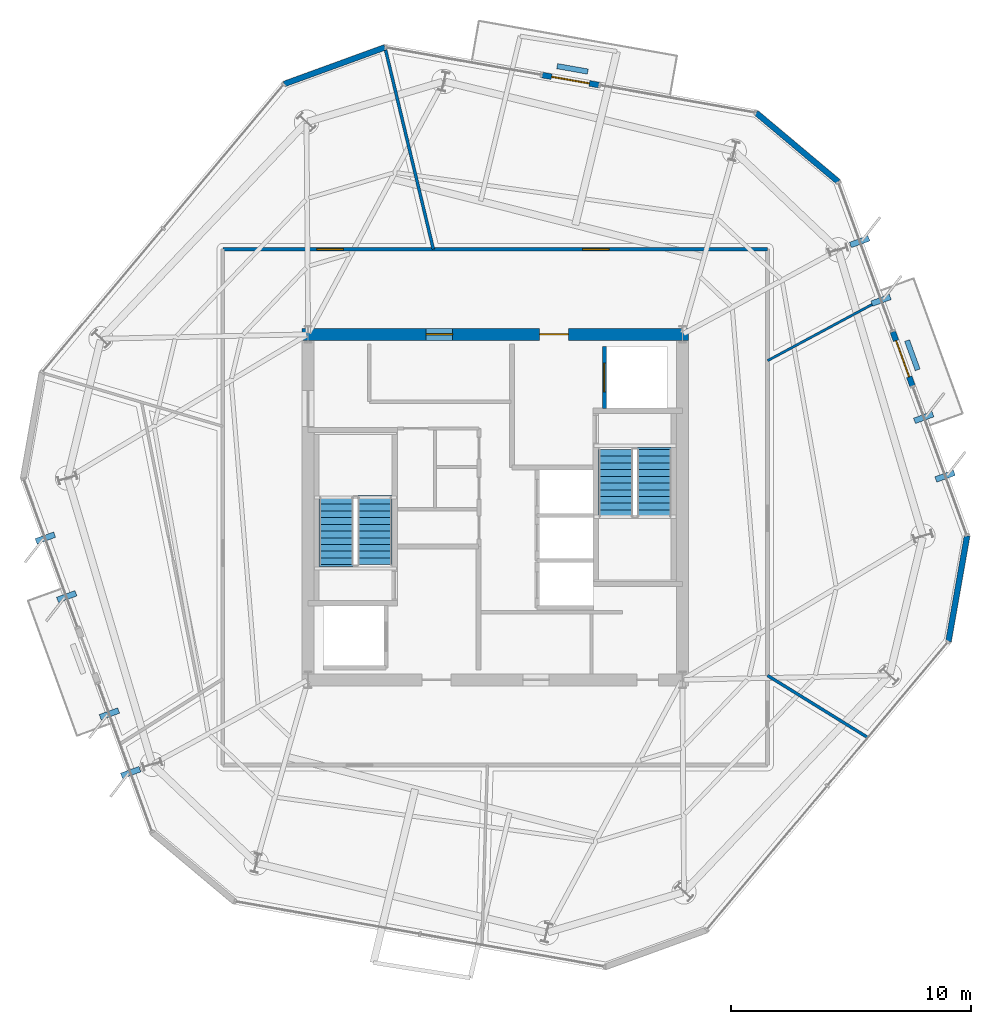
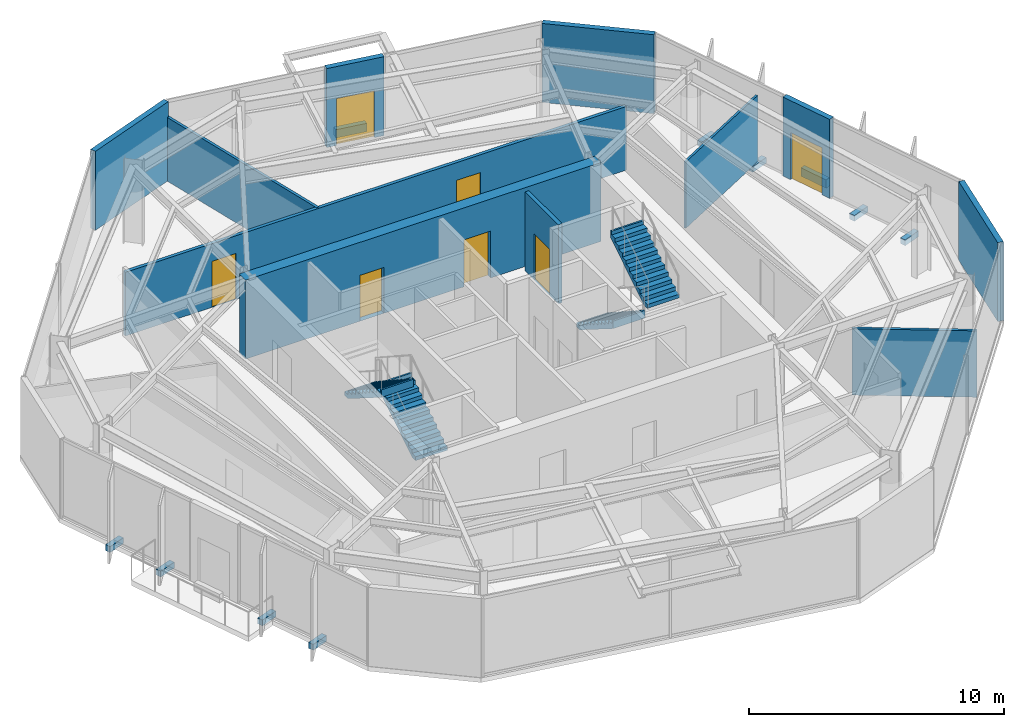
# One storey, part 8 of 11: 13 walls, 8 discrete accessories, 7 doors, 4 stair flights, 7 openings, 2 elements without a shape of their own.
"""IFC4 building model written with IfcOpenShell, lengths in metres."""

from ifc_helpers import new_model, si_unit, direction, frame, frame_2d, origin, origin_2d, place, context, subcontext, project, spatial, polyline, rectangle, outline, extrude, material, layer, layer_set, type_object, element, fill, aggregate, save


model = new_model("IFC4")

# Units and contexts
model_context = context("Model", 3, precision=1e-05, world=origin(), true_north=direction((0.0, 1.0)))
body_context = subcontext(model_context, "Body", "Model", "MODEL_VIEW")
ifc_project = project(units=[si_unit("LENGTHUNIT", "METRE"), si_unit("AREAUNIT", "SQUARE_METRE"), si_unit("VOLUMEUNIT", "CUBIC_METRE"), si_unit("PLANEANGLEUNIT", "RADIAN"), si_unit("MASSUNIT", "GRAM", prefix="KILO")], contexts=[model_context])

# Site, building, storey
site_placement = place(None, origin())
site = spatial("IfcSite", under=ifc_project, at=site_placement, CompositionType="ELEMENT")
building_placement = place(site_placement, origin())
building = spatial("IfcBuilding", under=site, at=building_placement, Name="Kranzbogen Civic Tower", CompositionType="ELEMENT")
storey_placement = place(building_placement, frame((0.0, 0.0, 224.800048828125)))
storey = spatial("IfcBuildingStorey", under=building, at=storey_placement, Name="L54", CompositionType="ELEMENT", Elevation=224.800048828125)

# Wall, openings, doors
ifc_material_1 = material(Name="Double-Stud Acoustic Gypsum Partition")
ifc_layer_1 = layer(ifc_material_1, 0.14990234375, Name="Double-Stud Acoustic Gypsum Partition")
ifc_layer_set_1 = layer_set([ifc_layer_1], Name="Double-Stud Acoustic Gypsum Partition")
wall_type_1 = type_object("IfcWallType", Name="Acoustic Corridor and Clinical Partition 150 mm", PredefinedType="PARTITIONING", material=ifc_layer_set_1)
wall_1_placement = place(storey_placement, frame((13.64990234375, 35.75, 0.0), z_axis=(0.0, 0.0, 1.0), x_axis=(1.0, 0.0, 0.0)))
wall_1 = element("IfcWall", 1, at=wall_1_placement, inside=storey, type_object=wall_type_1, Name="L54 corridor partition 01", PredefinedType="PARTITIONING", context=body_context, shape_type="SweptSolid", body=[
    extrude(rectangle(XDim=22.7001953125, YDim=0.14990234375, at=frame_2d((11.35009765625, 0.0))), origin(), (0.0, 0.0, 1.0), 3.050048828125),
])
opening_1_placement = place(wall_1_placement, frame((14.9951171875, 0.0, 0.0)))
opening_1 = element("IfcOpeningElement", 2, at=opening_1_placement, cuts=wall_1, Name="Opening D-COR60", PredefinedType="OPENING", context=body_context, shape_type="SweptSolid", body=[
    extrude(rectangle(XDim=1.10009765625, YDim=2.199951171875, at=frame_2d((0.550048828125, 1.10009765625))), frame((0.0, 0.0849609375, 0.0), z_axis=(0.0, -1.0, 0.0), x_axis=(1.0, 0.0, 0.0)), (0.0, 0.0, 1.0), 0.169921875),
])
opening_2_placement = place(wall_1_placement, frame((3.9208984375, 0.0, 0.0)))
opening_2 = element("IfcOpeningElement", 3, at=opening_2_placement, cuts=wall_1, Name="Opening D-COR60", PredefinedType="OPENING", context=body_context, shape_type="SweptSolid", body=[
    extrude(rectangle(XDim=1.10009765625, YDim=2.199951171875, at=frame_2d((0.550048828125, 1.10009765625))), frame((0.0, 0.0849609375, 0.0), z_axis=(0.0, -1.0, 0.0), x_axis=(1.0, 0.0, 0.0)), (0.0, 0.0, 1.0), 0.169921875),
])
ifc_material_2 = material(Name="Oak Timber and Fire Core", Category="wood")
door_type_1 = type_object("IfcDoorType", Name="Corridor Acoustic Fire Door 1100x2200", OperationType="NOTDEFINED", PredefinedType="DOOR", material=ifc_material_2)
door_1_placement = place(opening_1_placement, origin())
door_1 = element("IfcDoor", 4, at=door_1_placement, inside=storey, type_object=door_type_1, Name="L54 Protocol Entrance Reception door", OperationType="SINGLE_SWING_LEFT", OverallHeight=2.199951171875, OverallWidth=1.10009765625, PredefinedType="DOOR", context=body_context, shape_type="SweptSolid", body=[
    extrude(rectangle(XDim=1.10009765625, YDim=2.199951171875, at=frame_2d((0.550048828125, 1.10009765625))), frame((0.0, 0.02490234375, 0.0), z_axis=(0.0, -1.0, 0.0), x_axis=(1.0, 0.0, 0.0)), (0.0, 0.0, 1.0), 0.050048828125),
])
fill(opening_1, door_1)
door_2_placement = place(opening_2_placement, origin())
door_2 = element("IfcDoor", 5, at=door_2_placement, inside=storey, type_object=door_type_1, Name="L54 Civic Reference Library door", OperationType="SINGLE_SWING_RIGHT", OverallHeight=2.199951171875, OverallWidth=1.10009765625, PredefinedType="DOOR", context=body_context, shape_type="SweptSolid", body=[
    extrude(rectangle(XDim=1.10009765625, YDim=2.199951171875, at=frame_2d((0.550048828125, 1.10009765625))), frame((0.0, 0.02490234375, 0.0), z_axis=(0.0, -1.0, 0.0), x_axis=(1.0, 0.0, 0.0)), (0.0, 0.0, 1.0), 0.050048828125),
])
fill(opening_2, door_2)

# Walls
ifc_material_3 = material(Name="Insulated Metal-Stud Gypsum Partition")
ifc_layer_2 = layer(ifc_material_3, 0.125, Name="Insulated Metal-Stud Gypsum Partition")
ifc_layer_set_2 = layer_set([ifc_layer_2], Name="Insulated Metal-Stud Gypsum Partition")
wall_type_2 = type_object("IfcWallType", Name="Acoustic Inter-Room Partition 125 mm", PredefinedType="PARTITIONING", material=ifc_layer_set_2)
wall_2_placement = place(storey_placement, frame((22.4208984375, 35.75, 0.0), z_axis=(0.0, 0.0, 1.0), x_axis=(-0.233219964305, 0.972424006414, 0.0)))
element("IfcWall", 6, at=wall_2_placement, inside=storey, type_object=wall_type_2, Name="L54 radial room partition 01", PredefinedType="PARTITIONING", context=body_context, shape_type="SweptSolid", body=[
    extrude(rectangle(XDim=8.631103515625, YDim=0.125, at=frame_2d((4.3154296875, 0.0))), origin(), (0.0, 0.0, 1.0), 3.050048828125),
])
wall_3_placement = place(storey_placement, frame((36.35009765625, 17.97900390625, 0.0), z_axis=(0.0, 0.0, 1.0), x_axis=(0.850384110208, -0.526162394234, 0.0)))
element("IfcWall", 7, at=wall_3_placement, inside=storey, type_object=wall_type_2, Name="L54 radial room partition 05", PredefinedType="PARTITIONING", context=body_context, shape_type="SweptSolid", body=[
    extrude(rectangle(XDim=4.8974609375, YDim=0.125, at=frame_2d((2.44873046875, 0.0))), origin(), (0.0, 0.0, 1.0), 3.179931640625),
])
ifc_material_4 = material(Name="Architectural Precast Terracotta Concrete C40/50", Category="masonry")
ifc_layer_3 = layer(ifc_material_4, 0.219970703125, Name="Architectural Precast Terracotta Concrete C40/50")
ifc_layer_set_3 = layer_set([ifc_layer_3], Name="Architectural Precast Terracotta Concrete C40/50")
wall_type_3 = type_object("IfcWallType", Name="Architectural Tree Planter Kerb Wall 220 mm", PredefinedType="USERDEFINED", material=ifc_layer_set_3)
wall_4_placement = place(storey_placement, frame((42.610107421875, 30.718017578125, 0.0), z_axis=(0.0, 0.0, 1.0), x_axis=(-0.341577205661, 0.93985371871, 0.0)))
element("IfcWall", 8, at=wall_4_placement, inside=storey, type_object=wall_type_3, Name="L54 landscaped tree balcony planter L54-TB2", ObjectType="PLANTER_WALL", PredefinedType="USERDEFINED", context=body_context, shape_type="SweptSolid", body=[
    extrude(rectangle(XDim=1.300048828125, YDim=0.219970703125, at=frame_2d((0.64990234375, 0.0))), origin(), (0.0, 0.0, 1.0), 0.39990234375),
])
wall_5_placement = place(storey_placement, frame((28.861083984375, 43.152099609375, 0.0), z_axis=(0.0, 0.0, 1.0), x_axis=(-0.984791121497, 0.173742473276, 0.0)))
element("IfcWall", 9, at=wall_5_placement, inside=storey, type_object=wall_type_3, Name="L54 landscaped tree balcony planter L54-ST", ObjectType="PLANTER_WALL", PredefinedType="USERDEFINED", context=body_context, shape_type="SweptSolid", body=[
    extrude(rectangle(XDim=1.2998046875, YDim=0.219970703125, at=frame_2d((0.64990234375, 0.0))), origin(), (0.0, 0.0, 1.0), 0.39990234375),
])

# Wall, openings, doors
ifc_material_5 = material(Name="Concrete C45/55", Category="concrete")
ifc_layer_4 = layer(ifc_material_5, 0.5, Name="Concrete C45/55")
ifc_layer_set_4 = layer_set([ifc_layer_4], Name="Concrete C45/55")
wall_type_4 = type_object("IfcWallType", Name="Central Core Shear Wall 500 mm", PredefinedType="SHEAR", material=ifc_layer_set_4)
wall_6_placement = place(storey_placement, frame((33.050048828125, 32.199951171875, 0.0), z_axis=(0.0, 0.0, 1.0), x_axis=(-1.0, 0.0, 0.0)))
wall_6 = element("IfcWall", 10, at=wall_6_placement, inside=storey, type_object=wall_type_4, Name="L54 central core North shear wall", PredefinedType="SHEAR", context=body_context, shape_type="SweptSolid", body=[
    extrude(rectangle(XDim=16.10009765625, YDim=0.5, at=frame_2d((8.050048828125, 0.0))), origin(), (0.0, 0.0, 1.0), 3.780029296875),
])
opening_3_placement = place(wall_6_placement, frame((5.0, 0.0, 0.0)))
opening_3 = element("IfcOpeningElement", 11, at=opening_3_placement, cuts=wall_6, Name="Opening D-EX120", PredefinedType="OPENING", context=body_context, shape_type="SweptSolid", body=[
    extrude(rectangle(XDim=1.199951171875, YDim=2.25, at=frame_2d((0.60009765625, 1.125))), frame((0.0, 0.260009765625, 0.0), z_axis=(0.0, -1.0, 0.0), x_axis=(1.0, 0.0, 0.0)), (0.0, 0.0, 1.0), 0.52001953125),
])
opening_4_placement = place(wall_6_placement, frame((9.824951171875, 0.0, 0.0)))
opening_4 = element("IfcOpeningElement", 12, at=opening_4_placement, cuts=wall_6, Name="Opening D-COR60", PredefinedType="OPENING", context=body_context, shape_type="SweptSolid", body=[
    extrude(rectangle(XDim=1.10009765625, YDim=2.199951171875, at=frame_2d((0.550048828125, 1.10009765625))), frame((0.0, 0.260009765625, 0.0), z_axis=(0.0, -1.0, 0.0), x_axis=(1.0, 0.0, 0.0)), (0.0, 0.0, 1.0), 0.52001953125),
])
door_3_placement = place(opening_4_placement, origin())
door_3 = element("IfcDoor", 13, at=door_3_placement, inside=storey, type_object=door_type_1, Name="L54 DAT1 comms room door", OperationType="SINGLE_SWING_LEFT", OverallHeight=2.199951171875, OverallWidth=1.10009765625, PredefinedType="DOOR", context=body_context, shape_type="SweptSolid", body=[
    extrude(rectangle(XDim=1.10009765625, YDim=2.199951171875, at=frame_2d((0.550048828125, 1.10009765625))), frame((0.0, 0.02490234375, 0.0), z_axis=(0.0, -1.0, 0.0), x_axis=(1.0, 0.0, 0.0)), (0.0, 0.0, 1.0), 0.050048828125),
])
fill(opening_4, door_3)
ifc_material_6 = material(Name="Steel S355", Category="steel")
door_type_2 = type_object("IfcDoorType", Name="Exit Passageway Fire Door 1200x2250", OperationType="NOTDEFINED", PredefinedType="DOOR", material=ifc_material_6)
door_4_placement = place(opening_3_placement, origin())
door_4 = element("IfcDoor", 14, at=door_4_placement, inside=storey, type_object=door_type_2, Name="L54 East firefighting lobby corridor door", OperationType="SINGLE_SWING_RIGHT", OverallHeight=2.25, OverallWidth=1.199951171875, PredefinedType="DOOR", context=body_context, shape_type="SweptSolid", body=[
    extrude(rectangle(XDim=1.199951171875, YDim=2.25, at=frame_2d((0.60009765625, 1.125))), frame((0.0, 0.02490234375, 0.0), z_axis=(0.0, -1.0, 0.0), x_axis=(1.0, 0.0, 0.0)), (0.0, 0.0, 1.0), 0.050048828125),
])
fill(opening_3, door_4)

# Wall
ifc_material_7 = material(Name="Demountable Aluminium and Gypsum Partition", Category="aluminium")
ifc_layer_5 = layer(ifc_material_7, 0.10009765625, Name="Demountable Aluminium and Gypsum Partition")
ifc_layer_set_5 = layer_set([ifc_layer_5], Name="Demountable Aluminium and Gypsum Partition")
wall_type_5 = type_object("IfcWallType", Name="Demountable Office Partition 100 mm", PredefinedType="MOVABLE", material=ifc_layer_set_5)
wall_7_placement = place(storey_placement, frame((36.35009765625, 31.10107421875, 0.0), z_axis=(0.0, 0.0, 1.0), x_axis=(0.880833659308, 0.473425880819, 0.0)))
element("IfcWall", 15, at=wall_7_placement, inside=storey, type_object=wall_type_5, Name="L54 radial room partition 06", PredefinedType="MOVABLE", context=body_context, shape_type="SweptSolid", body=[
    extrude(rectangle(XDim=5.358642578125, YDim=0.10009765625, at=frame_2d((2.67919921875, 0.0))), origin(), (0.0, 0.0, 1.0), 3.179931640625),
])

# Wall, opening, door
ifc_material_8 = material(Name="Gypsum Fireboard Shaftliner")
ifc_layer_6 = layer(ifc_material_8, 0.175048828125, Name="Gypsum Fireboard Shaftliner")
ifc_layer_set_6 = layer_set([ifc_layer_6], Name="Gypsum Fireboard Shaftliner")
wall_type_6 = type_object("IfcWallType", Name="Fire-Rated Lift and Service Shaft Wall 175 mm", PredefinedType="PARTITIONING", material=ifc_layer_set_6)
wall_8_placement = place(storey_placement, frame((29.550048828125, 29.10009765625, 0.0), z_axis=(0.0, 0.0, 1.0), x_axis=(0.0, 1.0, 0.0)))
wall_8 = element("IfcWall", 16, at=wall_8_placement, inside=storey, type_object=wall_type_6, Name="L54 lift FF-02 landing wall", PredefinedType="PARTITIONING", context=body_context, shape_type="SweptSolid", body=[
    extrude(rectangle(XDim=2.599853515625, YDim=0.175048828125, at=frame_2d((1.2998046875, 0.0))), origin(), (0.0, 0.0, 1.0), 3.780029296875),
])
opening_5_placement = place(wall_8_placement, frame((0.699951171875, 0.0, 0.0)))
opening_5 = element("IfcOpeningElement", 17, at=opening_5_placement, cuts=wall_8, Name="Opening LD-FF-02", PredefinedType="OPENING", context=body_context, shape_type="SweptSolid", body=[
    extrude(rectangle(XDim=1.199951171875, YDim=2.199951171875, at=frame_2d((0.60009765625, 1.10009765625))), frame((0.0, 0.09765625, 0.0), z_axis=(0.0, -1.0, 0.0), x_axis=(1.0, 0.0, 0.0)), (0.0, 0.0, 1.0), 0.195068359375),
])
ifc_material_9 = material(Name="Pale Anodised Aluminium", Category="aluminium")
door_type_3 = type_object("IfcDoorType", Name="Firefighting and Stretcher Lift Sliding Landing Door 1200x2200", OperationType="DOUBLE_DOOR_SLIDING", PredefinedType="DOOR", material=ifc_material_9)
door_5_placement = place(opening_5_placement, origin())
door_5 = element("IfcDoor", 18, at=door_5_placement, inside=storey, type_object=door_type_3, Name="L54 lift FF-02 sliding landing door", OperationType="DOUBLE_DOOR_SLIDING", OverallHeight=2.199951171875, OverallWidth=1.199951171875, PredefinedType="DOOR", context=body_context, shape_type="SweptSolid", body=[
    extrude(rectangle(XDim=1.199951171875, YDim=2.199951171875, at=frame_2d((0.60009765625, 1.10009765625))), frame((0.0, 0.02490234375, 0.0), z_axis=(0.0, -1.0, 0.0), x_axis=(1.0, 0.0, 0.0)), (0.0, 0.0, 1.0), 0.050048828125),
])
fill(opening_5, door_5)

ifc_layer_7 = layer(ifc_material_9, 0.239990234375, Name="Pale Anodised Aluminium")
ifc_layer_set_7 = layer_set([ifc_layer_7], Name="Pale Anodised Aluminium")
wall_type_7 = type_object("IfcWallType", Name="Insulated Aluminium Facade Portal Wall 240 mm", PredefinedType="STANDARD", material=ifc_layer_set_7)
wall_9_placement = place(storey_placement, frame((29.319091796875, 42.589111328125, 0.0), z_axis=(0.0, 0.0, 1.0), x_axis=(-0.984784583074, 0.173779529692, 0.0)))
wall_9 = element("IfcWall", 19, at=wall_9_placement, inside=storey, type_object=wall_type_7, Name="L54 exterior entrance portal wall 1", PredefinedType="STANDARD", context=body_context, shape_type="SweptSolid", body=[
    extrude(rectangle(XDim=2.399658203125, YDim=0.239990234375, at=frame_2d((1.19970703125, 0.0))), origin(), (0.0, 0.0, 1.0), 3.780029296875),
])
opening_6_placement = place(wall_9_placement, frame((0.39990234375, 0.0, 0.0)))
opening_6 = element("IfcOpeningElement", 20, at=opening_6_placement, cuts=wall_9, Name="Opening D-TER", PredefinedType="OPENING", context=body_context, shape_type="SweptSolid", body=[
    extrude(rectangle(XDim=1.60009765625, YDim=2.25, at=frame_2d((0.800048828125, 1.125))), frame((0.0, 0.1298828125, 0.0), z_axis=(0.0, -1.0, 0.0), x_axis=(1.0, 0.0, 0.0)), (0.0, 0.0, 1.0), 0.260009765625),
])
ifc_material_10 = material(Name="Anodised Bronze and Triple Glass", Category="glass")
door_type_4 = type_object("IfcDoorType", Name="Glazed Terrace and Balcony Double Door 1600x2250", OperationType="DOUBLE_DOOR_SINGLE_SWING", PredefinedType="DOOR", material=ifc_material_10)
door_6_placement = place(opening_6_placement, frame((1.60009765625, 0.0, 0.0), z_axis=(0.0, 0.0, 1.0), x_axis=(-1.0, 0.0, 0.0)))
door_6 = element("IfcDoor", 21, at=door_6_placement, inside=storey, type_object=door_type_4, Name="L54 spiral terrace access door L54-ST", OperationType="DOUBLE_DOOR_SINGLE_SWING", OverallHeight=2.25, OverallWidth=1.60009765625, PredefinedType="DOOR", context=body_context, shape_type="SweptSolid", body=[
    extrude(rectangle(XDim=1.60009765625, YDim=2.25, at=frame_2d((0.800048828125, 1.125))), frame((0.0, 0.02490234375, 0.0), z_axis=(0.0, -1.0, 0.0), x_axis=(1.0, 0.0, 0.0)), (0.0, 0.0, 1.0), 0.050048828125),
])
fill(opening_6, door_6)

# Walls
wall_10_placement = place(storey_placement, frame((20.404052734375, 44.160888671875, 0.0), z_axis=(0.0, 0.0, 1.0), x_axis=(-0.939751947736, -0.341857099862, 0.0)))
element("IfcWall", 22, at=wall_10_placement, inside=storey, type_object=wall_type_7, Name="L54 chamfered corner facade spandrel 1", PredefinedType="STANDARD", context=body_context, shape_type="SweptSolid", body=[
    extrude(rectangle(XDim=4.46923828125, YDim=0.239990234375, at=frame_2d((2.234619140625, 0.0))), origin(), (0.0, 0.0, 1.0), 3.780029296875),
])
wall_11_placement = place(storey_placement, frame((43.89208984375, 19.39990234375, 0.0), z_axis=(0.0, 0.0, 1.0), x_axis=(0.173613925281, 0.984813792018, 0.0)))
element("IfcWall", 23, at=wall_11_placement, inside=storey, type_object=wall_type_7, Name="L54 chamfered corner facade spandrel 5", PredefinedType="STANDARD", context=body_context, shape_type="SweptSolid", body=[
    extrude(rectangle(XDim=4.468994140625, YDim=0.239990234375, at=frame_2d((2.234375, 0.0))), origin(), (0.0, 0.0, 1.0), 3.780029296875),
])

# Wall, opening, door
wall_12_placement = place(storey_placement, frame((42.39208984375, 30.053955078125, 0.0), z_axis=(0.0, 0.0, 1.0), x_axis=(-0.342110593602, 0.939659694648, 0.0)))
wall_12 = element("IfcWall", 24, at=wall_12_placement, inside=storey, type_object=wall_type_7, Name="L54 exterior entrance portal wall 1", PredefinedType="STANDARD", context=body_context, shape_type="SweptSolid", body=[
    extrude(rectangle(XDim=2.39990234375, YDim=0.239990234375, at=frame_2d((1.199951171875, 0.0))), origin(), (0.0, 0.0, 1.0), 3.780029296875),
])
opening_7_placement = place(wall_12_placement, frame((0.39990234375, 0.0, 0.0)))
opening_7 = element("IfcOpeningElement", 25, at=opening_7_placement, cuts=wall_12, Name="Opening D-TER", PredefinedType="OPENING", context=body_context, shape_type="SweptSolid", body=[
    extrude(rectangle(XDim=1.60009765625, YDim=2.25, at=frame_2d((0.800048828125, 1.125))), frame((0.0, 0.1298828125, 0.0), z_axis=(0.0, -1.0, 0.0), x_axis=(1.0, 0.0, 0.0)), (0.0, 0.0, 1.0), 0.260009765625),
])
door_7_placement = place(opening_7_placement, frame((1.60009765625, 0.0, 0.0), z_axis=(0.0, 0.0, 1.0), x_axis=(-1.0, 0.0, 0.0)))
door_7 = element("IfcDoor", 26, at=door_7_placement, inside=storey, type_object=door_type_4, Name="L54 tree balcony access door L54-TB2", OperationType="DOUBLE_DOOR_SINGLE_SWING", OverallHeight=2.25, OverallWidth=1.60009765625, PredefinedType="DOOR", context=body_context, shape_type="SweptSolid", body=[
    extrude(rectangle(XDim=1.60009765625, YDim=2.25, at=frame_2d((0.800048828125, 1.125))), frame((0.0, 0.02490234375, 0.0), z_axis=(0.0, -1.0, 0.0), x_axis=(1.0, 0.0, 0.0)), (0.0, 0.0, 1.0), 0.050048828125),
])
fill(opening_7, door_7)

# Wall
wall_13_placement = place(storey_placement, frame((39.294921875, 38.56103515625, 0.0), z_axis=(0.0, 0.0, 1.0), x_axis=(-0.765958876261, 0.642889570515, 0.0)))
element("IfcWall", 27, at=wall_13_placement, inside=storey, type_object=wall_type_7, Name="L54 chamfered corner facade spandrel 6", PredefinedType="STANDARD", context=body_context, shape_type="SweptSolid", body=[
    extrude(rectangle(XDim=4.467529296875, YDim=0.239990234375, at=frame_2d((2.23388671875, 0.0))), origin(), (0.0, 0.0, 1.0), 3.780029296875),
])

# Stair, stair flights
ifc_material_11 = material(Name="Precast concrete C40/50", Category="concrete")
stair_type_1 = type_object("IfcStairType", Name="Tower Core Pressurized Dogleg Stair 1450", PredefinedType="HALF_TURN_STAIR", material=ifc_material_11)
stair_1_placement = place(storey_placement, origin())
stair_1 = element("IfcStair", 28, at=stair_1_placement, inside=storey, type_object=stair_type_1, Name="L54 Tower Core Pressurized Stair 1", PredefinedType="HALF_TURN_STAIR")
stair_flight_type = type_object("IfcStairFlightType", Name="Precast Concrete Stair Flight R180", PredefinedType="STRAIGHT", material=ifc_material_11)
stair_flight_1_placement = place(storey_placement, frame((19.97509765625, 22.60009765625, 0.0), z_axis=(0.0, 0.0, 1.0), x_axis=(0.0, 1.0, 0.0)))
stair_flight_1 = element("IfcStairFlight", 29, at=stair_flight_1_placement, type_object=stair_flight_type, Name="ST-T1 flight 1", NumberOfRisers=11, NumberOfTreads=10, PredefinedType="STRAIGHT", RiserHeight=0.181818182, TreadLength=0.28, context=body_context, shape_type="SweptSolid", body=[
    extrude(outline(polyline([(0.0, 0.0), (0.0, 0.181884765625), (0.280029296875, 0.181884765625), (0.280029296875, 0.363525390625), (0.56005859375, 0.363525390625), (0.56005859375, 0.54541015625), (0.840087890625, 0.54541015625), (0.840087890625, 0.727294921875), (1.1201171875, 0.727294921875), (1.1201171875, 0.9091796875), (1.39990234375, 0.9091796875), (1.39990234375, 1.0908203125), (1.679931640625, 1.0908203125), (1.679931640625, 1.272705078125), (1.9599609375, 1.272705078125), (1.9599609375, 1.45458984375), (2.239990234375, 1.45458984375), (2.239990234375, 1.636474609375), (2.52001953125, 1.636474609375), (2.52001953125, 1.818115234375), (2.800048828125, 1.818115234375), (2.800048828125, 2.0), (2.880126953125, 2.0), (2.880126953125, 1.639404296875), (0.275146484375, 0.0), (0.0, 0.0)])), frame((0.0, 0.72509765625, 0.0), z_axis=(0.0, -1.0, 0.0), x_axis=(1.0, 0.0, 0.0)), (0.0, 0.0, 1.0), 1.449951171875),
])
stair_flight_2_placement = place(storey_placement, frame((18.375, 25.39990234375, 2.0), z_axis=(0.0, 0.0, 1.0), x_axis=(0.0, -1.0, 0.0)))
stair_flight_2 = element("IfcStairFlight", 30, at=stair_flight_2_placement, type_object=stair_flight_type, Name="ST-T1 flight 2", NumberOfRisers=11, NumberOfTreads=10, PredefinedType="STRAIGHT", RiserHeight=0.181818182, TreadLength=0.28, context=body_context, shape_type="SweptSolid", body=[
    extrude(outline(polyline([(0.0, 0.0), (0.0, 0.181884765625), (0.280029296875, 0.181884765625), (0.280029296875, 0.363525390625), (0.56005859375, 0.363525390625), (0.56005859375, 0.54541015625), (0.840087890625, 0.54541015625), (0.840087890625, 0.727294921875), (1.1201171875, 0.727294921875), (1.1201171875, 0.9091796875), (1.39990234375, 0.9091796875), (1.39990234375, 1.0908203125), (1.679931640625, 1.0908203125), (1.679931640625, 1.272705078125), (1.9599609375, 1.272705078125), (1.9599609375, 1.45458984375), (2.239990234375, 1.45458984375), (2.239990234375, 1.636474609375), (2.52001953125, 1.636474609375), (2.52001953125, 1.818115234375), (2.800048828125, 1.818115234375), (2.800048828125, 2.0), (2.880126953125, 2.0), (2.880126953125, 1.639404296875), (0.275146484375, 0.0), (0.0, 0.0)])), frame((0.0, 0.72509765625, 0.0), z_axis=(0.0, -1.0, 0.0), x_axis=(1.0, 0.0, 0.0)), (0.0, 0.0, 1.0), 1.449951171875),
])
aggregate(stair_1, [stair_flight_1, stair_flight_2])

stair_type_2 = type_object("IfcStairType", Name="Tower Core Secondary Dogleg Stair 1450", PredefinedType="HALF_TURN_STAIR", material=ifc_material_11)
stair_2_placement = place(storey_placement, origin())
stair_2 = element("IfcStair", 31, at=stair_2_placement, inside=storey, type_object=stair_type_2, Name="L54 Tower Core Pressurized Stair 2", PredefinedType="HALF_TURN_STAIR")
stair_flight_3_placement = place(storey_placement, frame((30.02490234375, 27.39990234375, 0.0), z_axis=(0.0, 0.0, 1.0), x_axis=(0.0, -1.0, 0.0)))
stair_flight_3 = element("IfcStairFlight", 32, at=stair_flight_3_placement, type_object=stair_flight_type, Name="ST-T2 flight 1", NumberOfRisers=11, NumberOfTreads=10, PredefinedType="STRAIGHT", RiserHeight=0.181818182, TreadLength=0.28, context=body_context, shape_type="SweptSolid", body=[
    extrude(outline(polyline([(0.0, 0.0), (0.0, 0.181884765625), (0.280029296875, 0.181884765625), (0.280029296875, 0.363525390625), (0.56005859375, 0.363525390625), (0.56005859375, 0.54541015625), (0.840087890625, 0.54541015625), (0.840087890625, 0.727294921875), (1.1201171875, 0.727294921875), (1.1201171875, 0.9091796875), (1.39990234375, 0.9091796875), (1.39990234375, 1.0908203125), (1.679931640625, 1.0908203125), (1.679931640625, 1.272705078125), (1.9599609375, 1.272705078125), (1.9599609375, 1.45458984375), (2.239990234375, 1.45458984375), (2.239990234375, 1.636474609375), (2.52001953125, 1.636474609375), (2.52001953125, 1.818115234375), (2.800048828125, 1.818115234375), (2.800048828125, 2.0), (2.880126953125, 2.0), (2.880126953125, 1.639404296875), (0.275146484375, 0.0), (0.0, 0.0)])), frame((0.0, 0.72509765625, 0.0), z_axis=(0.0, -1.0, 0.0), x_axis=(1.0, 0.0, 0.0)), (0.0, 0.0, 1.0), 1.449951171875),
])
stair_flight_4_placement = place(storey_placement, frame((31.625, 24.60009765625, 2.0), z_axis=(0.0, 0.0, 1.0), x_axis=(0.0, 1.0, 0.0)))
stair_flight_4 = element("IfcStairFlight", 33, at=stair_flight_4_placement, type_object=stair_flight_type, Name="ST-T2 flight 2", NumberOfRisers=11, NumberOfTreads=10, PredefinedType="STRAIGHT", RiserHeight=0.181818182, TreadLength=0.28, context=body_context, shape_type="SweptSolid", body=[
    extrude(outline(polyline([(0.0, 0.0), (0.0, 0.181884765625), (0.280029296875, 0.181884765625), (0.280029296875, 0.363525390625), (0.56005859375, 0.363525390625), (0.56005859375, 0.54541015625), (0.840087890625, 0.54541015625), (0.840087890625, 0.727294921875), (1.1201171875, 0.727294921875), (1.1201171875, 0.9091796875), (1.39990234375, 0.9091796875), (1.39990234375, 1.0908203125), (1.679931640625, 1.0908203125), (1.679931640625, 1.272705078125), (1.9599609375, 1.272705078125), (1.9599609375, 1.45458984375), (2.239990234375, 1.45458984375), (2.239990234375, 1.636474609375), (2.52001953125, 1.636474609375), (2.52001953125, 1.818115234375), (2.800048828125, 1.818115234375), (2.800048828125, 2.0), (2.880126953125, 2.0), (2.880126953125, 1.639404296875), (0.275146484375, 0.0), (0.0, 0.0)])), frame((0.0, 0.72509765625, 0.0), z_axis=(0.0, -1.0, 0.0), x_axis=(1.0, 0.0, 0.0)), (0.0, 0.0, 1.0), 1.449951171875),
])
aggregate(stair_2, [stair_flight_3, stair_flight_4])

# Discrete accessories
discrete_accessory_type = type_object("IfcDiscreteAccessoryType", Name="Structural Curtain-Wall Fin Support Bracket", PredefinedType="BRACKET", material=ifc_material_6)
for number, where, z_axis, x_axis, name in (
    (34, (6.25, 23.7099609375, -0.25), (0.0, 0.0, 1.0), (-0.939692620786, -0.342020143326, 0.0), "L54 facade fin support bracket F3-1"),
    (35, (7.139892578125, 21.26708984375, -0.25), (0.0, 0.0, 1.0), (-0.939692620786, -0.342020143326, 0.0), "L54 facade fin support bracket F3-2"),
    (36, (8.91796875, 16.3798828125, -0.25), (0.0, 0.0, 1.0), (-0.939692620786, -0.342020143326, 0.0), "L54 facade fin support bracket F3-4"),
    (37, (9.80810546875, 13.93701171875, -0.25), (0.0, 0.0, 1.0), (-0.939692620786, -0.342020143326, 0.0), "L54 facade fin support bracket F3-5"),
    (38, (43.75, 26.2900390625, -0.25), (0.0, 0.0, 1.0), (0.939692620786, 0.342020143326, 0.0), "L54 facade fin support bracket F6-1"),
    (39, (42.860107421875, 28.73291015625, -0.25), (0.0, 0.0, 1.0), (0.939692620786, 0.342020143326, 0.0), "L54 facade fin support bracket F6-2"),
    (40, (41.08203125, 33.6201171875, -0.25), (0.0, 0.0, 1.0), (0.939692620786, 0.342020143326, 0.0), "L54 facade fin support bracket F6-4"),
    (41, (40.19189453125, 36.06298828125, -0.25), (0.0, 0.0, 1.0), (0.939692620786, 0.342020143326, 0.0), "L54 facade fin support bracket F6-5"),
):
    element("IfcDiscreteAccessory", number, at=place(storey_placement, frame(where, z_axis=z_axis, x_axis=x_axis)), inside=storey, type_object=discrete_accessory_type, Name=name, PredefinedType="BRACKET", context=body_context, shape_type="SweptSolid", body=[
        extrude(rectangle(XDim=0.820068359375, YDim=0.239990234375, at=origin_2d()), origin(), (0.0, 0.0, 1.0), 0.280029296875),
    ])

save(model, "model.ifc")
